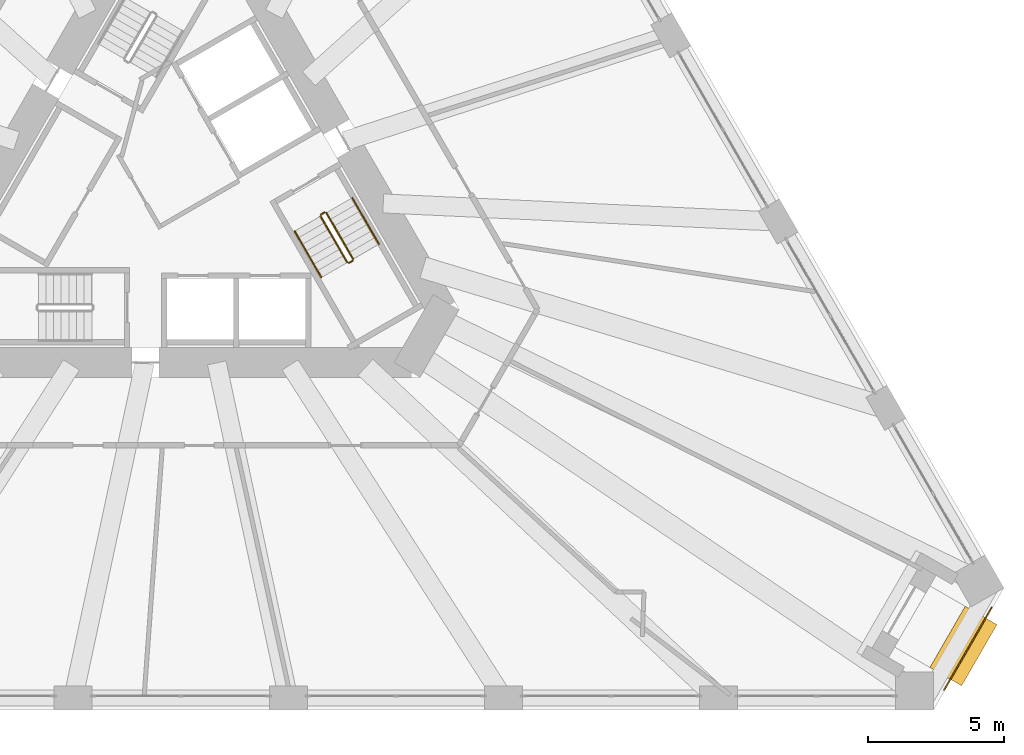
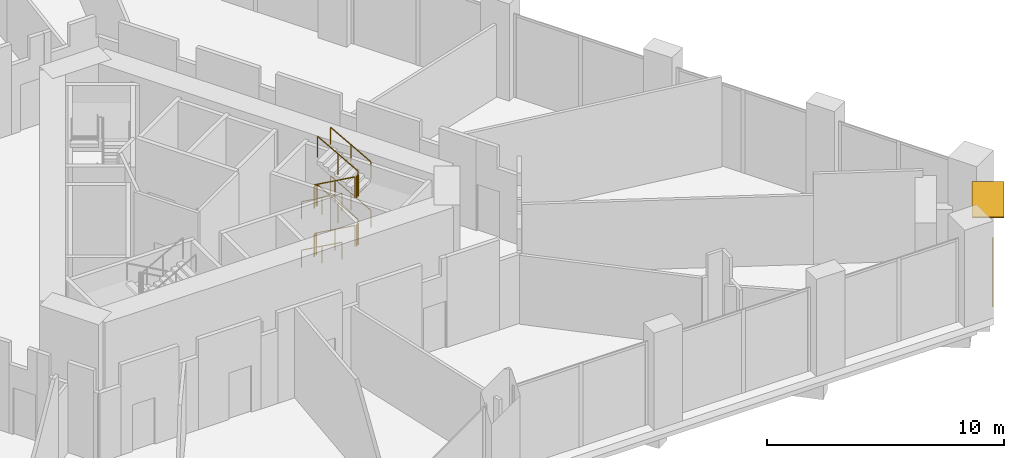
# One storey, part 19 of 20: 13 railings, 1 shading device.
"""IFC4 building model written with IfcOpenShell, lengths in metres."""

from ifc_helpers import new_model, si_unit, direction, frame, origin, origin_2d, place, context, subcontext, project, spatial, rectangle, circle, extrude, material, layer, layer_set, type_object, element, save


model = new_model("IFC4")

# Units and contexts
model_context = context("Model", 3, precision=1e-05, world=origin(), true_north=direction((0.0, 1.0)))
body_context = subcontext(model_context, "Body", "Model", "MODEL_VIEW")
ifc_project = project(units=[si_unit("LENGTHUNIT", "METRE"), si_unit("AREAUNIT", "SQUARE_METRE"), si_unit("VOLUMEUNIT", "CUBIC_METRE"), si_unit("PLANEANGLEUNIT", "RADIAN"), si_unit("MASSUNIT", "GRAM", prefix="KILO")], contexts=[model_context])

# Site, building, storey
site_placement = place(None, origin())
site = spatial("IfcSite", under=ifc_project, at=site_placement, CompositionType="ELEMENT")
building_placement = place(site_placement, origin())
building = spatial("IfcBuilding", under=site, at=building_placement, Name="Tramontana Tower", CompositionType="ELEMENT")
storey_placement = place(building_placement, frame((0.0, 0.0, 20.0)))
storey = spatial("IfcBuildingStorey", under=building, at=storey_placement, Name="L03", CompositionType="ELEMENT", Elevation=20.0)

# Railing
ifc_material_1 = material(Name="Laminated glass balustrade", Category="glass")
railing_type_1 = type_object("IfcRailingType", Name="GD1 Loggia glass balustrade 1100", PredefinedType="BALUSTRADE", material=ifc_material_1)
railing_1_placement = place(storey_placement, frame((29.86083984375, -15.219482421875, 0.0)))
element("IfcRailing", 1, at=railing_1_placement, inside=storey, type_object=railing_type_1, Name="Corner loggia balustrade L03 K02", PredefinedType="BALUSTRADE", context=body_context, shape_type="SweptSolid", body=[
    extrude(circle(Radius=0.02392578125, at=origin_2d()), frame((0.0, 0.0, 1.076171875), z_axis=(-0.500010275428, -0.866019471182, 0.0), x_axis=(0.866019471182, -0.500010275428, 0.0)), (0.0, 0.0, 1.0), 3.5),
    extrude(circle(Radius=0.02099609375, at=origin_2d()), origin(), (0.0, 0.0, 1.0), 1.052001953125),
    extrude(circle(Radius=0.02099609375, at=origin_2d()), frame((-0.583251953125, -1.01025390625, 0.0)), (0.0, 0.0, 1.0), 1.052001953125),
    extrude(circle(Radius=0.02099609375, at=origin_2d()), frame((-1.166748046875, -2.020751953125, 0.0)), (0.0, 0.0, 1.0), 1.052001953125),
    extrude(circle(Radius=0.02099609375, at=origin_2d()), frame((-1.75, -3.031005859375, 0.0)), (0.0, 0.0, 1.0), 1.052001953125),
])

# Shading device
ifc_material_2 = material(Name="Precast concrete 60 MPa", Category="concrete")
ifc_layer = layer(ifc_material_2, 0.070068359375)
ifc_layer_set = layer_set([ifc_layer], Name="SS2 Stone sunshade blade 70")
shading_device_type = type_object("IfcShadingDeviceType", Name="SS2 Stone sunshade blade 70", PredefinedType="USERDEFINED", material=ifc_layer_set)
shading_device_placement = place(storey_placement, frame((28.81689453125, -16.637451171875, 4.22998046875), z_axis=(0.0, 0.0, 1.0), x_axis=(-0.5, -0.866025403784, 0.0)))
element("IfcShadingDevice", 2, at=shading_device_placement, inside=storey, type_object=shading_device_type, Name="Corner sunshade L03 K02", ObjectType="SUNSHADE", PredefinedType="USERDEFINED", context=body_context, shape_type="SweptSolid", body=[
    extrude(rectangle(XDim=2.60009765625, YDim=1.35009765625, at=origin_2d()), origin(), (0.0, 0.0, 1.0), 0.070068359375),
])

# Railings
ifc_material_3 = material(Name="Painted steel", Category="steel")
railing_type_2 = type_object("IfcRailingType", Name="STAIR GUARD 1100", PredefinedType="GUARDRAIL", material=ifc_material_3)
railing_2_placement = place(storey_placement, frame((5.1474609375, -0.815673828125, 0.15625)))
element("IfcRailing", 3, at=railing_2_placement, inside=storey, type_object=railing_type_2, Name="L03 ST3 stair guard 1", PredefinedType="GUARDRAIL", context=body_context, shape_type="SweptSolid", body=[
    extrude(circle(Radius=0.02392578125, at=origin_2d()), frame((0.0, 0.0, 1.076171875), z_axis=(0.436632306331, -0.756220177781, 0.487322554151), x_axis=(0.866011328839, 0.500024377727, 0.0)), (0.0, 0.0, 1.0), 2.244384765625),
    extrude(circle(Radius=0.02099609375, at=origin_2d()), origin(), (0.0, 0.0, 1.0), 1.052001953125),
    extrude(circle(Radius=0.02099609375, at=origin_2d()), frame((0.489990234375, -0.8486328125, 0.546875)), (0.0, 0.0, 1.0), 1.052001953125),
    extrude(circle(Radius=0.02099609375, at=origin_2d()), frame((0.97998046875, -1.697265625, 1.09375)), (0.0, 0.0, 1.0), 1.052001953125),
])
railing_3_placement = place(storey_placement, frame((6.343994140625, -2.387939453125, 1.40625)))
element("IfcRailing", 4, at=railing_3_placement, inside=storey, type_object=railing_type_2, Name="L03 ST3 stair guard 2", PredefinedType="GUARDRAIL", context=body_context, shape_type="SweptSolid", body=[
    extrude(circle(Radius=0.02392578125, at=origin_2d()), frame((0.0, 0.0, 1.076171875), z_axis=(-0.436632306331, 0.756220177781, 0.487322554151), x_axis=(-0.866011328839, -0.500024377727, 0.0)), (0.0, 0.0, 1.0), 2.244384765625),
    extrude(circle(Radius=0.02099609375, at=origin_2d()), origin(), (0.0, 0.0, 1.0), 1.052001953125),
    extrude(circle(Radius=0.02099609375, at=origin_2d()), frame((-0.489990234375, 0.8486328125, 0.546875)), (0.0, 0.0, 1.0), 1.052001953125),
    extrude(circle(Radius=0.02099609375, at=origin_2d()), frame((-0.97998046875, 1.697265625, 1.09375)), (0.0, 0.0, 1.0), 1.052001953125),
])
railing_4_placement = place(storey_placement, frame((5.1474609375, -0.815673828125, 2.65625)))
element("IfcRailing", 5, at=railing_4_placement, inside=storey, type_object=railing_type_2, Name="L03 ST3 stair guard 3", PredefinedType="GUARDRAIL", context=body_context, shape_type="SweptSolid", body=[
    extrude(circle(Radius=0.02392578125, at=origin_2d()), frame((0.0, 0.0, 1.076171875), z_axis=(0.436632306331, -0.756220177781, 0.487322554151), x_axis=(0.866011328839, 0.500024377727, 0.0)), (0.0, 0.0, 1.0), 2.244384765625),
    extrude(circle(Radius=0.02099609375, at=origin_2d()), origin(), (0.0, 0.0, 1.0), 1.052001953125),
    extrude(circle(Radius=0.02099609375, at=origin_2d()), frame((0.489990234375, -0.8486328125, 0.546875)), (0.0, 0.0, 1.0), 1.052001953125),
    extrude(circle(Radius=0.02099609375, at=origin_2d()), frame((0.97998046875, -1.697265625, 1.09375)), (0.0, 0.0, 1.0), 1.052001953125),
])
railing_5_placement = place(storey_placement, frame((6.343994140625, -2.387939453125, 3.90625)))
element("IfcRailing", 6, at=railing_5_placement, inside=storey, type_object=railing_type_2, Name="L03 ST3 stair guard 4", PredefinedType="GUARDRAIL", context=body_context, shape_type="SweptSolid", body=[
    extrude(circle(Radius=0.02392578125, at=origin_2d()), frame((0.0, 0.0, 1.076171875), z_axis=(-0.436632306331, 0.756220177781, 0.487322554151), x_axis=(-0.866011328839, -0.500024377727, 0.0)), (0.0, 0.0, 1.0), 2.244384765625),
    extrude(circle(Radius=0.02099609375, at=origin_2d()), origin(), (0.0, 0.0, 1.0), 1.052001953125),
    extrude(circle(Radius=0.02099609375, at=origin_2d()), frame((-0.489990234375, 0.8486328125, 0.546875)), (0.0, 0.0, 1.0), 1.052001953125),
    extrude(circle(Radius=0.02099609375, at=origin_2d()), frame((-0.97998046875, 1.697265625, 1.09375)), (0.0, 0.0, 1.0), 1.052001953125),
])
for number, where, name in (
    (7, (6.19580078125, -2.53125, 1.25), "L03 ST3 stair guard 5"),
    (8, (5.165771484375, -0.747314453125, 2.5), "L03 ST3 stair guard 6"),
    (9, (6.19580078125, -2.53125, 3.75), "L03 ST3 stair guard 7"),
    (10, (5.165771484375, -0.747314453125, 0.0), "L03 ST3 stair guard 8"),
):
    element("IfcRailing", number, at=place(storey_placement, frame(where)), inside=storey, type_object=railing_type_2, Name=name, PredefinedType="GUARDRAIL", context=body_context, shape_type="SweptSolid", body=[
        extrude(circle(Radius=0.02392578125, at=origin_2d()), frame((0.0, 0.0, 1.076171875), z_axis=(0.866131372301, 0.499816412211, 0.0), x_axis=(-0.499816412211, 0.866131372301, 0.0)), (0.0, 0.0, 1.0), 0.14990234375),
        extrude(circle(Radius=0.02099609375, at=origin_2d()), origin(), (0.0, 0.0, 1.0), 1.052001953125),
        extrude(circle(Radius=0.02099609375, at=origin_2d()), frame((0.1298828125, 0.074951171875, 0.0)), (0.0, 0.0, 1.0), 1.052001953125),
    ])
ifc_material_4 = material(Name="Painted steel", Category="steel")
railing_type_3 = type_object("IfcRailingType", Name="STAIR HANDRAIL 900", PredefinedType="HANDRAIL", material=ifc_material_4)
railing_6_placement = place(storey_placement, frame((4.19482421875, -1.365478515625, 0.15625)))
element("IfcRailing", 11, at=railing_6_placement, inside=storey, type_object=railing_type_3, Name="L03 ST3 stair handrail 1", PredefinedType="HANDRAIL", context=body_context, shape_type="SweptSolid", body=[
    extrude(circle(Radius=0.02392578125, at=origin_2d()), frame((0.0, 0.0, 0.8759765625), z_axis=(0.436596390967, -0.756266742998, 0.487282469241), x_axis=(0.866042469362, 0.499970440388, 0.0)), (0.0, 0.0, 1.0), 2.24462890625),
    extrude(circle(Radius=0.02099609375, at=origin_2d()), origin(), (0.0, 0.0, 1.0), 0.851806640625),
    extrude(circle(Radius=0.02099609375, at=origin_2d()), frame((0.489990234375, -0.8486328125, 0.546875)), (0.0, 0.0, 1.0), 0.851806640625),
    extrude(circle(Radius=0.02099609375, at=origin_2d()), frame((0.97998046875, -1.697509765625, 1.09375)), (0.0, 0.0, 1.0), 0.851806640625),
])
railing_7_placement = place(storey_placement, frame((7.296630859375, -1.837890625, 1.40625)))
element("IfcRailing", 12, at=railing_7_placement, inside=storey, type_object=railing_type_3, Name="L03 ST3 stair handrail 2", PredefinedType="HANDRAIL", context=body_context, shape_type="SweptSolid", body=[
    extrude(circle(Radius=0.02392578125, at=origin_2d()), frame((0.0, 0.0, 0.8759765625), z_axis=(-0.436632306331, 0.756220177781, 0.487322554151), x_axis=(-0.866011328839, -0.500024377727, 0.0)), (0.0, 0.0, 1.0), 2.244384765625),
    extrude(circle(Radius=0.02099609375, at=origin_2d()), origin(), (0.0, 0.0, 1.0), 0.851806640625),
    extrude(circle(Radius=0.02099609375, at=origin_2d()), frame((-0.489990234375, 0.8486328125, 0.546875)), (0.0, 0.0, 1.0), 0.851806640625),
    extrude(circle(Radius=0.02099609375, at=origin_2d()), frame((-0.97998046875, 1.697265625, 1.09375)), (0.0, 0.0, 1.0), 0.851806640625),
])
railing_8_placement = place(storey_placement, frame((4.19482421875, -1.365478515625, 2.65625)))
element("IfcRailing", 13, at=railing_8_placement, inside=storey, type_object=railing_type_3, Name="L03 ST3 stair handrail 3", PredefinedType="HANDRAIL", context=body_context, shape_type="SweptSolid", body=[
    extrude(circle(Radius=0.02392578125, at=origin_2d()), frame((0.0, 0.0, 0.8759765625), z_axis=(0.436596390967, -0.756266742998, 0.487282469241), x_axis=(0.866042469362, 0.499970440388, 0.0)), (0.0, 0.0, 1.0), 2.24462890625),
    extrude(circle(Radius=0.02099609375, at=origin_2d()), origin(), (0.0, 0.0, 1.0), 0.851806640625),
    extrude(circle(Radius=0.02099609375, at=origin_2d()), frame((0.489990234375, -0.8486328125, 0.546875)), (0.0, 0.0, 1.0), 0.851806640625),
    extrude(circle(Radius=0.02099609375, at=origin_2d()), frame((0.97998046875, -1.697509765625, 1.09375)), (0.0, 0.0, 1.0), 0.851806640625),
])
railing_9_placement = place(storey_placement, frame((7.296630859375, -1.837890625, 3.90625)))
element("IfcRailing", 14, at=railing_9_placement, inside=storey, type_object=railing_type_3, Name="L03 ST3 stair handrail 4", PredefinedType="HANDRAIL", context=body_context, shape_type="SweptSolid", body=[
    extrude(circle(Radius=0.02392578125, at=origin_2d()), frame((0.0, 0.0, 0.8759765625), z_axis=(-0.436632306331, 0.756220177781, 0.487322554151), x_axis=(-0.866011328839, -0.500024377727, 0.0)), (0.0, 0.0, 1.0), 2.244384765625),
    extrude(circle(Radius=0.02099609375, at=origin_2d()), origin(), (0.0, 0.0, 1.0), 0.851806640625),
    extrude(circle(Radius=0.02099609375, at=origin_2d()), frame((-0.489990234375, 0.8486328125, 0.546875)), (0.0, 0.0, 1.0), 0.851806640625),
    extrude(circle(Radius=0.02099609375, at=origin_2d()), frame((-0.97998046875, 1.697265625, 1.09375)), (0.0, 0.0, 1.0), 0.851806640625),
])

save(model, "model.ifc")
